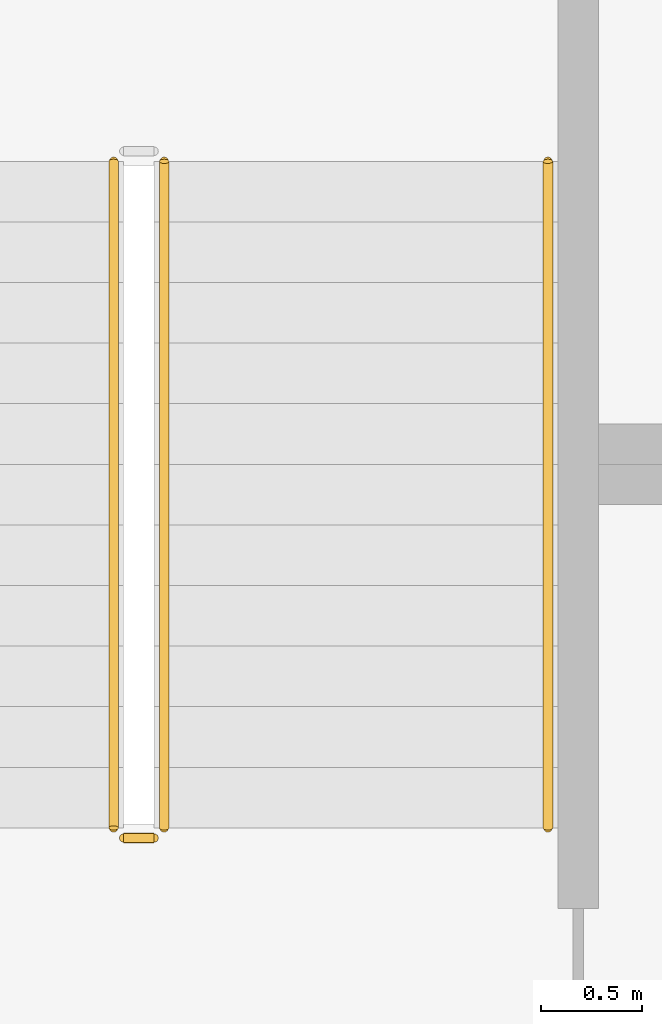
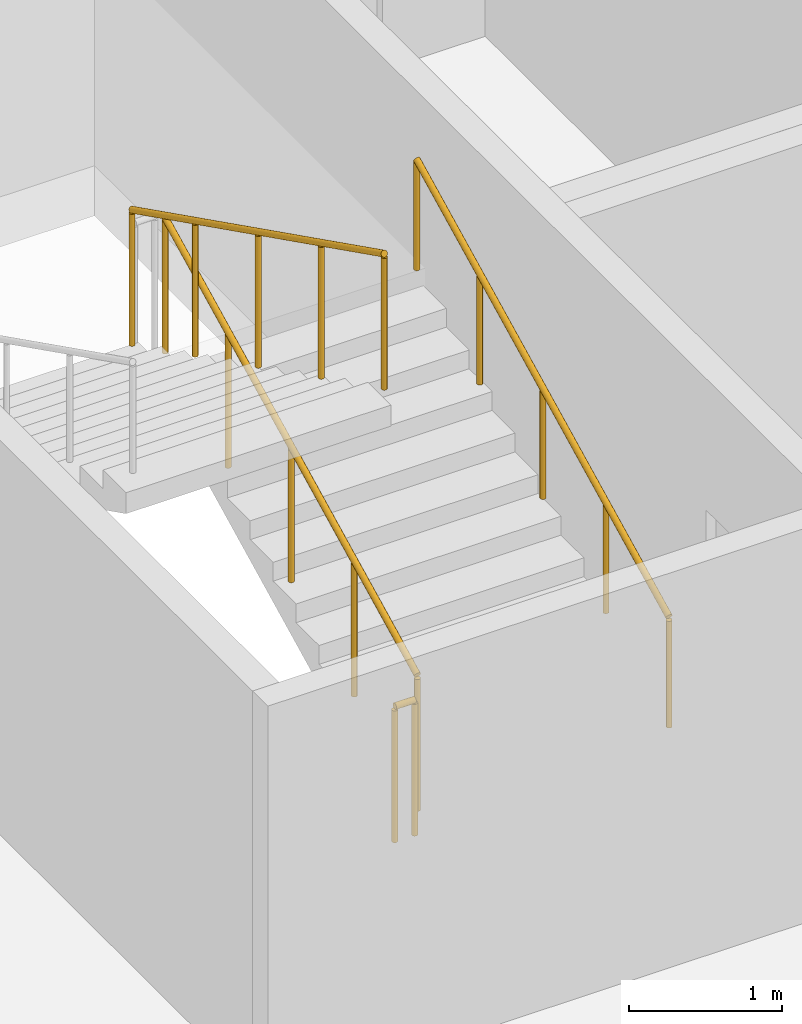
# One storey, part 33 of 37: 4 railings.
"""IFC4 building model written with IfcOpenShell, lengths in metres."""

from ifc_helpers import new_model, si_unit, direction, frame, origin, origin_2d, place, context, subcontext, project, spatial, circle, extrude, material, type_object, element, save


model = new_model("IFC4")

# Units and contexts
model_context = context("Model", 3, precision=1e-05, world=origin(), true_north=direction((0.0, 1.0)))
body_context = subcontext(model_context, "Body", "Model", "MODEL_VIEW")
ifc_project = project(units=[si_unit("LENGTHUNIT", "METRE"), si_unit("AREAUNIT", "SQUARE_METRE"), si_unit("VOLUMEUNIT", "CUBIC_METRE"), si_unit("PLANEANGLEUNIT", "RADIAN"), si_unit("MASSUNIT", "GRAM", prefix="KILO")], contexts=[model_context])

# Site, building, storey
site_placement = place(None, origin())
site = spatial("IfcSite", under=ifc_project, at=site_placement, CompositionType="ELEMENT")
building_placement = place(site_placement, origin())
building = spatial("IfcBuilding", under=site, at=building_placement, Name="Tamra Quay Hotel Tower", CompositionType="ELEMENT")
storey_placement = place(building_placement, frame((0.0, 0.0, -3.60009765625)))
storey = spatial("IfcBuildingStorey", under=building, at=storey_placement, Name="B1", CompositionType="ELEMENT", Elevation=-3.60009765625)

# Railings
ifc_material_1 = material(Name="Basement stair guard 1100")
railing_type_1 = type_object("IfcRailingType", Name="Basement stair guard 1100", PredefinedType="GUARDRAIL", material=ifc_material_1)
railing_1_placement = place(storey_placement, frame((6.14990234375, 45.199951171875, 0.150146484375)))
element("IfcRailing", 1, at=railing_1_placement, inside=storey, type_object=railing_type_1, Name="BSG", PredefinedType="GUARDRAIL", context=body_context, shape_type="SweptSolid", body=[
    extrude(circle(Radius=0.02392578125, at=origin_2d()), frame((0.0, 0.0, 1.076171875), z_axis=(0.0, 0.894440424912, 0.447187126696), x_axis=(-1.0, 0.0, 0.0)), (0.0, 0.0, 1.0), 3.689453125),
    extrude(circle(Radius=0.02099609375, at=origin_2d()), origin(), (0.0, 0.0, 1.0), 1.052001953125),
    extrude(circle(Radius=0.02099609375, at=origin_2d()), frame((0.0, 0.824951171875, 0.41259765625)), (0.0, 0.0, 1.0), 1.052001953125),
    extrude(circle(Radius=0.02099609375, at=origin_2d()), frame((0.0, 1.64990234375, 0.824951171875)), (0.0, 0.0, 1.0), 1.052001953125),
    extrude(circle(Radius=0.02099609375, at=origin_2d()), frame((0.0, 2.47509765625, 1.2373046875)), (0.0, 0.0, 1.0), 1.052001953125),
    extrude(circle(Radius=0.02099609375, at=origin_2d()), frame((0.0, 3.300048828125, 1.64990234375)), (0.0, 0.0, 1.0), 1.052001953125),
])
railing_2_placement = place(storey_placement, frame((5.89990234375, 48.5, 1.9501953125)))
element("IfcRailing", 2, at=railing_2_placement, inside=storey, type_object=railing_type_1, Name="BSG", PredefinedType="GUARDRAIL", context=body_context, shape_type="SweptSolid", body=[
    extrude(circle(Radius=0.02392578125, at=origin_2d()), frame((0.0, 0.0, 1.076171875), z_axis=(0.0, -0.894440424912, 0.447187126696), x_axis=(1.0, 0.0, 0.0)), (0.0, 0.0, 1.0), 3.689453125),
    extrude(circle(Radius=0.02099609375, at=origin_2d()), origin(), (0.0, 0.0, 1.0), 1.052001953125),
    extrude(circle(Radius=0.02099609375, at=origin_2d()), frame((0.0, -0.824951171875, 0.41259765625)), (0.0, 0.0, 1.0), 1.052001953125),
    extrude(circle(Radius=0.02099609375, at=origin_2d()), frame((0.0, -1.64990234375, 0.824951171875)), (0.0, 0.0, 1.0), 1.052001953125),
    extrude(circle(Radius=0.02099609375, at=origin_2d()), frame((0.0, -2.47509765625, 1.2373046875)), (0.0, 0.0, 1.0), 1.052001953125),
    extrude(circle(Radius=0.02099609375, at=origin_2d()), frame((0.0, -3.300048828125, 1.64990234375)), (0.0, 0.0, 1.0), 1.052001953125),
])
railing_3_placement = place(storey_placement, frame((6.10009765625, 45.14990234375, 0.0)))
element("IfcRailing", 3, at=railing_3_placement, inside=storey, type_object=railing_type_1, Name="BSG", PredefinedType="GUARDRAIL", context=body_context, shape_type="SweptSolid", body=[
    extrude(circle(Radius=0.02392578125, at=origin_2d()), frame((0.0, 0.0, 1.076171875), z_axis=(-1.0, 0.0, 0.0), x_axis=(0.0, -1.0, 0.0)), (0.0, 0.0, 1.0), 0.150146484375),
    extrude(circle(Radius=0.02099609375, at=origin_2d()), origin(), (0.0, 0.0, 1.0), 1.052001953125),
    extrude(circle(Radius=0.02099609375, at=origin_2d()), frame((-0.150146484375, 0.0, 0.0)), (0.0, 0.0, 1.0), 1.052001953125),
])
ifc_material_2 = material(Name="Basement stair handrail 900")
railing_type_2 = type_object("IfcRailingType", Name="Basement stair handrail 900", PredefinedType="HANDRAIL", material=ifc_material_2)
railing_4_placement = place(storey_placement, frame((8.050048828125, 45.199951171875, 0.150146484375)))
element("IfcRailing", 4, at=railing_4_placement, inside=storey, type_object=railing_type_2, Name="BSH", PredefinedType="HANDRAIL", context=body_context, shape_type="SweptSolid", body=[
    extrude(circle(Radius=0.02392578125, at=origin_2d()), frame((0.0, 0.0, 0.8759765625), z_axis=(0.0, 0.894440424912, 0.447187126696), x_axis=(-1.0, 0.0, 0.0)), (0.0, 0.0, 1.0), 3.689453125),
    extrude(circle(Radius=0.02099609375, at=origin_2d()), origin(), (0.0, 0.0, 1.0), 0.851806640625),
    extrude(circle(Radius=0.02099609375, at=origin_2d()), frame((0.0, 0.824951171875, 0.41259765625)), (0.0, 0.0, 1.0), 0.851806640625),
    extrude(circle(Radius=0.02099609375, at=origin_2d()), frame((0.0, 1.64990234375, 0.824951171875)), (0.0, 0.0, 1.0), 0.851806640625),
    extrude(circle(Radius=0.02099609375, at=origin_2d()), frame((0.0, 2.47509765625, 1.2373046875)), (0.0, 0.0, 1.0), 0.851806640625),
    extrude(circle(Radius=0.02099609375, at=origin_2d()), frame((0.0, 3.300048828125, 1.64990234375)), (0.0, 0.0, 1.0), 0.851806640625),
])

save(model, "model.ifc")
